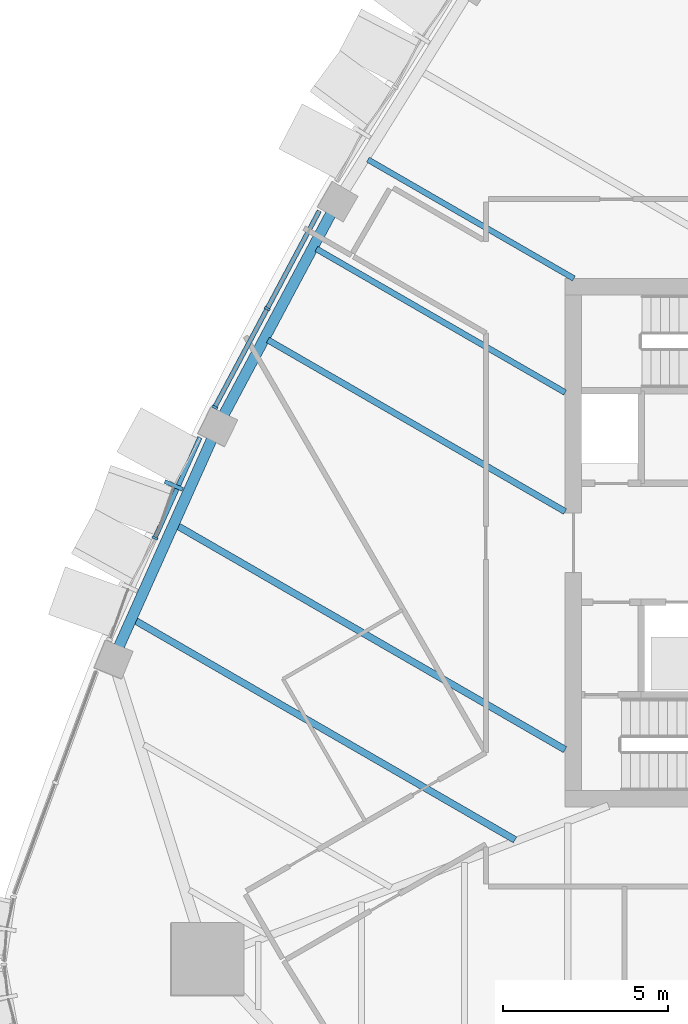
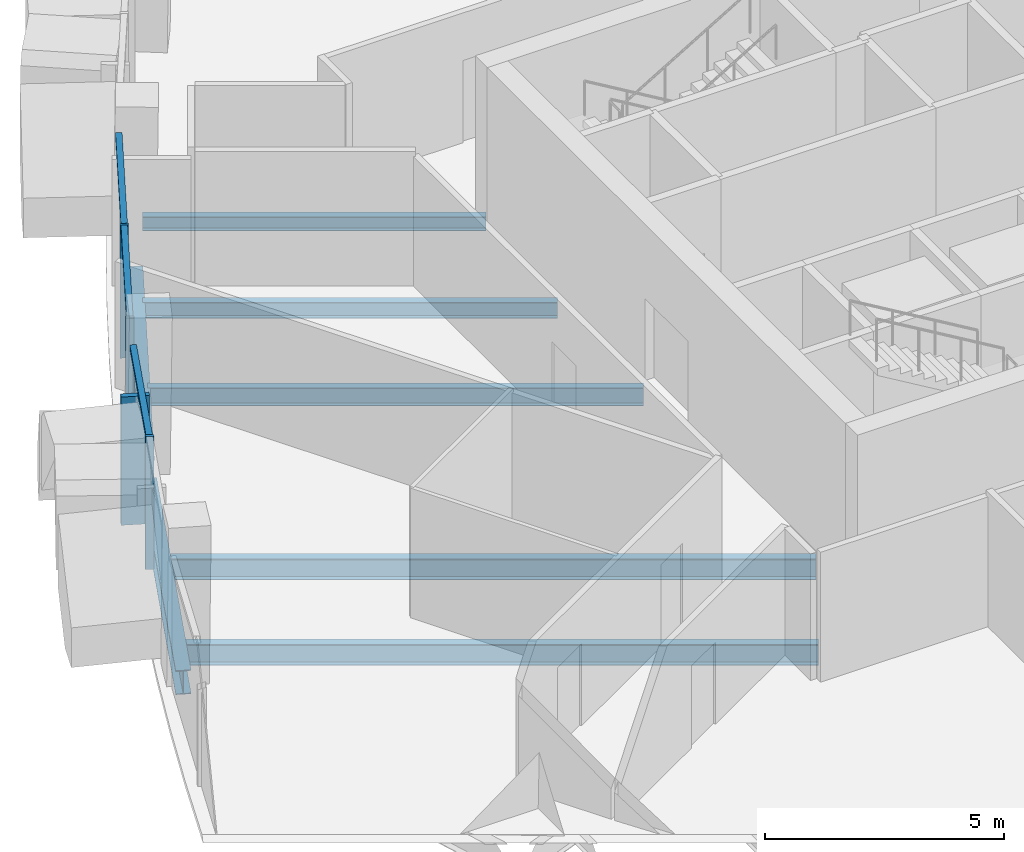
# One storey, part 3 of 18: 7 beams, 7 members, 2 elements without a shape of their own.
"""IFC4 building model written with IfcOpenShell, lengths in metres."""

import ifcopenshell
import ifcopenshell.guid

model = None  # the IFC model being written
_history = None  # IfcOwnerHistory: only IFC2X3 demands one
_inside = {}  # id of a spatial element -> (the spatial element, [elements in it])
_under = {}  # id of a project, library or spatial element -> (it, [spatial elements below it])
_declared = {}  # id of a project -> (the project, [libraries it declares])
_typed = {}  # id of a type object -> (the type object, [elements of that type])
_made_of = {}  # id of a material, layer set ... -> (it, [elements and type objects made of it])


def new_model(schema):
    """Start an empty IFC model of exactly this schema.

    Asked for "IFC4X3", IfcOpenShell would pick the latest addendum, in which some entities
    have other attributes; the version numbers below select the first issue.
    IFC2X3 requires an IfcOwnerHistory on every rooted entity: one is made here for all.
    """
    global model, _history
    if schema == "IFC4X3":
        model = ifcopenshell.file(schema_version=(4, 3, 0, 0))
    else:
        model = ifcopenshell.file(schema=schema)
    _inside.clear()
    _under.clear()
    _declared.clear()
    _typed.clear()
    _made_of.clear()
    _history = None
    if model.schema == "IFC2X3":
        org = make("IfcOrganization", Name="unknown")
        user = make(
            "IfcPersonAndOrganization",
            ThePerson=make("IfcPerson", FamilyName="unknown"),
            TheOrganization=org,
        )
        app = make(
            "IfcApplication",
            ApplicationDeveloper=org,
            Version="unknown",
            ApplicationFullName="unknown",
            ApplicationIdentifier="unknown",
        )
        _history = make(
            "IfcOwnerHistory",
            OwningUser=user,
            OwningApplication=app,
            ChangeAction="ADDED",
            CreationDate=0,
        )
    return model


def make(cls, **values):
    """One entity of the class cls with the attributes given. An attribute that is None is left unset."""
    return model.create_entity(
        cls, **{name: value for name, value in values.items() if value is not None}
    )


def rooted(cls, **values):
    """An entity with a GlobalId (a new one), such as an element, a storey or a relation."""
    return make(cls, GlobalId=ifcopenshell.guid.new(), OwnerHistory=_history, **values)


def si_unit(unit_type, name, prefix=None):
    """IfcSIUnit, for example si_unit("LENGTHUNIT", "METRE", prefix="MILLI")."""
    return make("IfcSIUnit", UnitType=unit_type, Prefix=prefix, Name=name)


def assignment(units):
    """IfcUnitAssignment: the units of a project."""
    return None if units is None else make("IfcUnitAssignment", Units=units)


def point(xyz):
    """IfcCartesianPoint."""
    return None if xyz is None else make("IfcCartesianPoint", Coordinates=xyz)


def direction(xyz):
    """IfcDirection."""
    return None if xyz is None else make("IfcDirection", DirectionRatios=xyz)


def frame(location, z_axis=None, x_axis=None):
    """IfcAxis2Placement3D, a coordinate frame: its origin and axes. An axis left out is left unset."""
    return make(
        "IfcAxis2Placement3D",
        Location=point(location),
        Axis=direction(z_axis),
        RefDirection=direction(x_axis),
    )


def frame_2d(location, x_axis=None):
    """IfcAxis2Placement2D, a coordinate frame in the plane: its origin and x axis."""
    return make(
        "IfcAxis2Placement2D", Location=point(location), RefDirection=direction(x_axis)
    )


def origin():
    """The frame at (0, 0, 0) with its axes left unset."""
    return frame((0.0, 0.0, 0.0))


def origin_2d():
    """The frame at (0, 0) in the plane with its x axis left unset."""
    return frame_2d((0.0, 0.0))


def place(relative_to, where):
    """IfcLocalPlacement: puts the frame where relative to a parent placement (None: the world)."""
    return make(
        "IfcLocalPlacement", PlacementRelTo=relative_to, RelativePlacement=where
    )


def context(
    kind, dimensions, precision=None, world=None, true_north=None, identifier=None
):
    """IfcGeometricRepresentationContext, for example the 3D "Model" context."""
    return make(
        "IfcGeometricRepresentationContext",
        ContextIdentifier=identifier,
        ContextType=kind,
        CoordinateSpaceDimension=dimensions,
        Precision=precision,
        WorldCoordinateSystem=world,
        TrueNorth=true_north,
    )


def subcontext(parent, identifier, kind, view, scale=None):
    """IfcGeometricRepresentationSubContext, for example "Body" below "Model"."""
    return make(
        "IfcGeometricRepresentationSubContext",
        ContextIdentifier=identifier,
        ContextType=kind,
        ParentContext=parent,
        TargetScale=scale,
        TargetView=view,
    )


def project(units=None, contexts=None):
    """IfcProject with its units and contexts."""
    return rooted(
        "IfcProject",
        Name="project",
        RepresentationContexts=contexts,
        UnitsInContext=assignment(units),
    )


def spatial(cls, under=None, at=None, **own):
    """A site, building, storey or space (cls), placed at a placement, below another one or the project."""
    s = rooted(cls, ObjectPlacement=at, **own)
    if under is not None:
        _under.setdefault(under.id(), (under, []))[1].append(s)
    return s


def profile(cls, at=None, kind="AREA", **sizes):
    """A parametric profile (cls). Its sizes go by their IFC names, for example OverallWidth=200.0."""
    return make(cls, ProfileType=kind, Position=at, **sizes)


def rectangle(**sizes):
    """IfcRectangleProfileDef."""
    return profile("IfcRectangleProfileDef", **sizes)


def i_section(**sizes):
    """IfcIShapeProfileDef."""
    return profile("IfcIShapeProfileDef", **sizes)


def extrude(swept, where, along, depth):
    """IfcExtrudedAreaSolid: the profile swept, set in the frame where, extruded along a direction by depth."""
    return make(
        "IfcExtrudedAreaSolid",
        SweptArea=swept,
        Position=where,
        ExtrudedDirection=direction(along),
        Depth=depth,
    )


def shape(context_of_items, identifier, shape_type, items):
    """IfcShapeRepresentation: the items that make up one representation, for example the "Body"."""
    return make(
        "IfcShapeRepresentation",
        ContextOfItems=context_of_items,
        RepresentationIdentifier=identifier,
        RepresentationType=shape_type,
        Items=items,
    )


def material(Name=None, Category=None):
    """IfcMaterial."""
    return make("IfcMaterial", Name=Name, Category=Category)


def layer(
    of_material, thickness, ventilated=None, Name=None, Category=None, Priority=None
):
    """IfcMaterialLayer: one layer of a wall or slab, of a material (None: an air gap)."""
    return make(
        "IfcMaterialLayer",
        Material=of_material,
        LayerThickness=thickness,
        IsVentilated=ventilated,
        Name=Name,
        Category=Category,
        Priority=Priority,
    )


def layer_set(layers, Name=None):
    """IfcMaterialLayerSet."""
    return make("IfcMaterialLayerSet", MaterialLayers=layers, LayerSetName=Name)


def material_profile(
    of_material, cross_section, Name=None, Category=None, Priority=None
):
    """IfcMaterialProfile: a cross section and its material."""
    return make(
        "IfcMaterialProfile",
        Name=Name,
        Material=of_material,
        Profile=cross_section,
        Priority=Priority,
        Category=Category,
    )


def profile_set(profiles, Name=None, composite=None):
    """IfcMaterialProfileSet."""
    return make(
        "IfcMaterialProfileSet",
        Name=Name,
        MaterialProfiles=profiles,
        CompositeProfile=composite,
    )


def made_of(thing, what):
    """Note that an element or type object is made of a material, layer set ...; save() writes the relation."""
    if what is not None:
        _made_of.setdefault(what.id(), (what, []))[1].append(thing)
    return thing


def type_object(cls, material=None, **own):
    """A type object (cls), such as IfcWallType, which elements share."""
    return made_of(rooted(cls, **own), material)


def element(
    cls,
    number,
    at=None,
    inside=None,
    cuts=None,
    type_object=None,
    material=None,
    context=None,
    identifier="Body",
    shape_type=None,
    held_by="IfcProductDefinitionShape",
    body=None,
    shapes=None,
    **own,
):
    """One element of the class cls, such as IfcWall. Its Tag is "e" and its number.

    at: its placement. inside: the storey or other place that contains it. cuts: it is an
    opening in that element (IfcRelVoidsElement). A single representation is given by context,
    identifier, shape_type and body (its items); several are given by shapes. held_by: the class
    of the entity that holds the representations. save() writes the other relations.
    """
    e = rooted(cls, Tag="e%d" % number, ObjectPlacement=at, **own)
    if body is not None:
        shapes = [shape(context, identifier, shape_type, body)]
    if shapes is not None:
        e.Representation = make(held_by, Representations=shapes)
    if inside is not None:
        _inside.setdefault(inside.id(), (inside, []))[1].append(e)
    if cuts is not None:
        rooted(
            "IfcRelVoidsElement", RelatingBuildingElement=cuts, RelatedOpeningElement=e
        )
    if type_object is not None:
        _typed.setdefault(type_object.id(), (type_object, []))[1].append(e)
    return made_of(e, material)


def aggregate(whole, parts):
    """IfcRelAggregates: a whole, such as a stair, and the parts it consists of."""
    return rooted("IfcRelAggregates", RelatingObject=whole, RelatedObjects=parts)


def save(model, path):
    """Write the relations noted so far, then the file.

    IfcRelAggregates (storeys below a building ...), IfcRelContainedInSpatialStructure (elements
    in a storey), IfcRelDefinesByType, IfcRelAssociatesMaterial and IfcRelDeclares: one each for
    every whole, place, type object, material and project.
    """
    for whole, parts in _under.values():
        aggregate(whole, parts)
    for where, things in _inside.values():
        rooted(
            "IfcRelContainedInSpatialStructure",
            RelatedElements=things,
            RelatingStructure=where,
        )
    for kind, things in _typed.values():
        rooted("IfcRelDefinesByType", RelatedObjects=things, RelatingType=kind)
    for what, things in _made_of.values():
        rooted("IfcRelAssociatesMaterial", RelatedObjects=things, RelatingMaterial=what)
    for by, libraries in _declared.values():
        rooted("IfcRelDeclares", RelatingContext=by, RelatedDefinitions=libraries)
    model.write(path)


model = new_model("IFC4")

# Units and contexts
model_context = context("Model", 3, precision=1e-05, world=origin(), true_north=direction((0.0, 1.0)))
body_context = subcontext(model_context, "Body", "Model", "MODEL_VIEW")
ifc_project = project(units=[si_unit("LENGTHUNIT", "METRE"), si_unit("AREAUNIT", "SQUARE_METRE"), si_unit("VOLUMEUNIT", "CUBIC_METRE"), si_unit("PLANEANGLEUNIT", "RADIAN"), si_unit("MASSUNIT", "GRAM", prefix="KILO")], contexts=[model_context])

# Site, building, storey
site_placement = place(None, origin())
site = spatial("IfcSite", under=ifc_project, at=site_placement, CompositionType="ELEMENT")
building_placement = place(site_placement, origin())
building = spatial("IfcBuilding", under=site, at=building_placement, Name="Sierra Prisma Convention Tower", CompositionType="ELEMENT")
storey_placement = place(building_placement, frame((0.0, 0.0, 247.0)))
storey = spatial("IfcBuildingStorey", under=building, at=storey_placement, Name="L55", CompositionType="ELEMENT", Elevation=247.0)

# Curtain wall, member
ifc_material_1 = material(Name="Aluminium and glass curtain wall", Category="aluminium")
ifc_layer_1 = layer(ifc_material_1, 0.179931640625)
ifc_layer_set_1 = layer_set([ifc_layer_1], Name="CW-2 Faceted crystal curtain wall")
curtain_wall_type_1 = type_object("IfcCurtainWallType", Name="CW-2 Faceted crystal curtain wall", PredefinedType="NOTDEFINED", material=ifc_layer_set_1)
curtain_wall_1_placement = place(storey_placement, origin())
curtain_wall_1 = element("IfcCurtainWall", 1, at=curtain_wall_1_placement, inside=storey, type_object=curtain_wall_type_1, Name="CW-2 NW5 L55", PredefinedType="NOTDEFINED")
ifc_material_2 = material(Name="Aluminium 6063-T6 bronze anodised", Category="aluminium")
ifc_material_profile_1 = material_profile(ifc_material_2, rectangle(XDim=0.1201171875, YDim=0.60009765625, at=origin_2d()), Name="ALU RIDGE BLADE 120x600")
ifc_profile_set_1 = profile_set([ifc_material_profile_1], Name="Aluminium 6063-T6 bronze anodised")
member_type_1 = type_object("IfcMemberType", Name="CW hip bronze", PredefinedType="MULLION", material=ifc_profile_set_1)
member_1_placement = place(storey_placement, frame((-22.844970703125, 1.736083984375, 0.0), z_axis=(0.0, 0.0, 1.0), x_axis=(-0.408762397347, -0.912640839824, 0.0)))
member_1 = element("IfcMember", 2, at=member_1_placement, type_object=member_type_1, Name="CW-2 ridge NW5.1", PredefinedType="MULLION", context=body_context, shape_type="SweptSolid", body=[
    extrude(rectangle(XDim=0.1201171875, YDim=0.60009765625, at=origin_2d()), origin(), (0.0, 0.0, 1.0), 3.280029296875),
])

# Curtain wall, members
ifc_material_3 = material(Name="Aluminium and glass curtain wall", Category="aluminium")
ifc_layer_2 = layer(ifc_material_3, 0.179931640625)
ifc_layer_set_2 = layer_set([ifc_layer_2], Name="CW-1 Plain shaft curtain wall")
curtain_wall_type_2 = type_object("IfcCurtainWallType", Name="CW-1 Plain shaft curtain wall", PredefinedType="NOTDEFINED", material=ifc_layer_set_2)
curtain_wall_2_placement = place(storey_placement, origin())
curtain_wall_2 = element("IfcCurtainWall", 3, at=curtain_wall_2_placement, inside=storey, type_object=curtain_wall_type_2, Name="CW-1 NW4 L55", PredefinedType="NOTDEFINED")
ifc_material_4 = material(Name="Aluminium 6063-T6 bronze anodised", Category="aluminium")
ifc_material_profile_2 = material_profile(ifc_material_4, rectangle(XDim=0.179931640625, YDim=0.070068359375, at=origin_2d()), Name="ALU MULLION 70x180")
ifc_profile_set_2 = profile_set([ifc_material_profile_2], Name="Aluminium 6063-T6 bronze anodised")
member_type_2 = type_object("IfcMemberType", Name="CW mullion bronze", PredefinedType="MULLION", material=ifc_profile_set_2)
member_2_placement = place(storey_placement, frame((-20.0146484375, 7.08935546875, 0.0), z_axis=(0.0, 0.0, 1.0), x_axis=(0.882600167587, -0.470124392235, 0.0)))
member_2 = element("IfcMember", 4, at=member_2_placement, type_object=member_type_2, Name="CW-1 mullion NW4.2", PredefinedType="MULLION", context=body_context, shape_type="SweptSolid", body=[
    extrude(rectangle(XDim=0.179931640625, YDim=0.070068359375, at=origin_2d()), origin(), (0.0, 0.0, 1.0), 3.39990234375),
])
member_3_placement = place(storey_placement, frame((-21.60595703125, 4.101806640625, 0.0), z_axis=(0.0, 0.0, 1.0), x_axis=(0.882600167587, -0.470124392235, 0.0)))
member_3 = element("IfcMember", 5, at=member_3_placement, type_object=member_type_2, Name="CW-1 mullion NW4.3", PredefinedType="MULLION", context=body_context, shape_type="SweptSolid", body=[
    extrude(rectangle(XDim=0.179931640625, YDim=0.070068359375, at=origin_2d()), origin(), (0.0, 0.0, 1.0), 3.39990234375),
])

# Member
member_4_placement = place(storey_placement, frame((-23.4150390625, 0.145751953125, 0.0), z_axis=(0.0, 0.0, 1.0), x_axis=(0.912640839824, -0.408762397347, 0.0)))
member_4 = element("IfcMember", 6, at=member_4_placement, type_object=member_type_2, Name="CW-1 mullion NW5.2", PredefinedType="MULLION", context=body_context, shape_type="SweptSolid", body=[
    extrude(rectangle(XDim=0.179931640625, YDim=0.070068359375, at=origin_2d()), origin(), (0.0, 0.0, 1.0), 3.39990234375),
])

ifc_material_5 = material(Name="Aluminium 6063-T6 bronze anodised", Category="aluminium")
ifc_material_profile_3 = material_profile(ifc_material_5, rectangle(XDim=0.139892578125, YDim=0.1201171875, at=origin_2d()), Name="ALU TRANSOM 120x140")
ifc_profile_set_3 = profile_set([ifc_material_profile_3], Name="Aluminium 6063-T6 bronze anodised")
member_type_3 = type_object("IfcMemberType", Name="CW transom bronze", PredefinedType="USERDEFINED", material=ifc_profile_set_3)
member_5_placement = place(storey_placement, frame((-18.439697265625, 10.046142578125, 3.340087890625), z_axis=(-0.470102691122, -0.882611726525, 0.0), x_axis=(0.882611726525, -0.470102691122, 0.0)))
member_5 = element("IfcMember", 7, at=member_5_placement, type_object=member_type_3, Name="CW-1 transom NW4.1", ObjectType="TRANSOM", PredefinedType="USERDEFINED", context=body_context, shape_type="SweptSolid", body=[
    extrude(rectangle(XDim=0.139892578125, YDim=0.1201171875, at=origin_2d()), origin(), (0.0, 0.0, 1.0), 3.31494140625),
])

member_6_placement = place(storey_placement, frame((-20.031005859375, 7.05859375, 3.340087890625), z_axis=(-0.470102691122, -0.882611726525, 0.0), x_axis=(0.882611726525, -0.470102691122, 0.0)))
member_6 = element("IfcMember", 8, at=member_6_placement, type_object=member_type_3, Name="CW-1 transom NW4.2", ObjectType="TRANSOM", PredefinedType="USERDEFINED", context=body_context, shape_type="SweptSolid", body=[
    extrude(rectangle(XDim=0.139892578125, YDim=0.1201171875, at=origin_2d()), origin(), (0.0, 0.0, 1.0), 3.31494140625),
])

aggregate(curtain_wall_2, [member_2, member_3, member_5, member_6])

member_7_placement = place(storey_placement, frame((-22.05224609375, 3.1884765625, 3.340087890625), z_axis=(-0.408739262487, -0.912651201337, 0.0), x_axis=(0.912651201337, -0.408739262487, 0.0)))
member_7 = element("IfcMember", 9, at=member_7_placement, type_object=member_type_3, Name="CW-1 transom NW5.1", ObjectType="TRANSOM", PredefinedType="USERDEFINED", context=body_context, shape_type="SweptSolid", body=[
    extrude(rectangle(XDim=0.139892578125, YDim=0.1201171875, at=origin_2d()), origin(), (0.0, 0.0, 1.0), 3.298828125),
])

aggregate(curtain_wall_1, [member_4, member_7, member_1])

# Beams
ifc_material_6 = material(Name="Steel ASTM A992 Gr 50", Category="steel")
ifc_material_profile_4 = material_profile(ifc_material_6, i_section(OverallWidth=0.172119140625, OverallDepth=0.35791015625, WebThickness=0.0078125, FlangeThickness=0.01318359375, at=origin_2d()), Name="W360x57")
ifc_profile_set_4 = profile_set([ifc_material_profile_4], Name="Steel ASTM A992 Gr 50")
beam_type_1 = type_object("IfcBeamType", Name="Floor joist W360x57", PredefinedType="JOIST", material=ifc_profile_set_4)
beam_1_placement = place(storey_placement, frame((-16.96826171875, 11.598388671875, -0.3291015625), z_axis=(0.866027974712, -0.499995546997, 0.0), x_axis=(0.499995546997, 0.866027974712, 0.0)))
element("IfcBeam", 10, at=beam_1_placement, inside=storey, type_object=beam_type_1, Name="Floor joist L55 NW07", PredefinedType="JOIST", context=body_context, shape_type="SweptSolid", body=[
    extrude(i_section(OverallWidth=0.172119140625, OverallDepth=0.35791015625, WebThickness=0.0078125, FlangeThickness=0.01318359375, at=origin_2d()), origin(), (0.0, 0.0, 1.0), 7.19677734375),
])
ifc_material_7 = material(Name="Steel ASTM A992 Gr 50", Category="steel")
ifc_material_profile_5 = material_profile(ifc_material_7, i_section(OverallWidth=0.177978515625, OverallDepth=0.406982421875, WebThickness=0.0078125, FlangeThickness=0.0126953125, at=origin_2d()), Name="W410x60")
ifc_profile_set_5 = profile_set([ifc_material_profile_5], Name="Steel ASTM A992 Gr 50")
beam_type_2 = type_object("IfcBeamType", Name="Floor joist W410x60", PredefinedType="JOIST", material=ifc_profile_set_5)
beam_2_placement = place(storey_placement, frame((-18.528564453125, 8.895751953125, -0.353515625), z_axis=(0.866022366652, -0.50000526043, 0.0), x_axis=(0.50000526043, 0.866022366652, 0.0)))
element("IfcBeam", 11, at=beam_2_placement, inside=storey, type_object=beam_type_2, Name="Floor joist L55 NW08", PredefinedType="JOIST", context=body_context, shape_type="SweptSolid", body=[
    extrude(i_section(OverallWidth=0.177978515625, OverallDepth=0.406982421875, WebThickness=0.0078125, FlangeThickness=0.0126953125, at=origin_2d()), origin(), (0.0, 0.0, 1.0), 8.693359375),
])
ifc_material_8 = material(Name="Steel ASTM A992 Gr 50", Category="steel")
ifc_material_profile_6 = material_profile(ifc_material_8, i_section(OverallWidth=0.18994140625, OverallDepth=0.45703125, WebThickness=0.009033203125, FlangeThickness=0.014404296875, at=origin_2d()), Name="W460x74")
ifc_profile_set_6 = profile_set([ifc_material_profile_6], Name="Steel ASTM A992 Gr 50")
beam_type_3 = type_object("IfcBeamType", Name="Floor joist W460x74", PredefinedType="JOIST", material=ifc_profile_set_6)
beam_3_placement = place(storey_placement, frame((-19.99658203125, 6.1396484375, -0.37841796875), z_axis=(0.866018864611, -0.50001132601, 0.0), x_axis=(0.50001132601, 0.866018864611, 0.0)))
element("IfcBeam", 12, at=beam_3_placement, inside=storey, type_object=beam_type_3, Name="Floor joist L55 NW09", PredefinedType="JOIST", context=body_context, shape_type="SweptSolid", body=[
    extrude(i_section(OverallWidth=0.18994140625, OverallDepth=0.45703125, WebThickness=0.009033203125, FlangeThickness=0.014404296875, at=origin_2d()), origin(), (0.0, 0.0, 1.0), 10.388427734375),
])
ifc_material_9 = material(Name="Steel ASTM A992 Gr 50", Category="steel")
ifc_material_profile_7 = material_profile(ifc_material_9, i_section(OverallWidth=0.208984375, OverallDepth=0.532958984375, WebThickness=0.01025390625, FlangeThickness=0.015625, at=origin_2d()), Name="W530x92")
ifc_profile_set_7 = profile_set([ifc_material_profile_7], Name="Steel ASTM A992 Gr 50")
beam_type_4 = type_object("IfcBeamType", Name="Floor joist W530x92", PredefinedType="JOIST", material=ifc_profile_set_7)
beam_4_placement = place(storey_placement, frame((-22.74169921875, 0.51708984375, -0.41650390625), z_axis=(0.866026057554, -0.499998867636, 0.0), x_axis=(0.499998867636, 0.866026057554, 0.0)))
element("IfcBeam", 13, at=beam_4_placement, inside=storey, type_object=beam_type_4, Name="Floor joist L55 NW11", PredefinedType="JOIST", context=body_context, shape_type="SweptSolid", body=[
    extrude(i_section(OverallWidth=0.208984375, OverallDepth=0.532958984375, WebThickness=0.01025390625, FlangeThickness=0.015625, at=origin_2d()), origin(), (0.0, 0.0, 1.0), 13.55810546875),
])
beam_5_placement = place(storey_placement, frame((-24.024169921875, -2.34619140625, -0.41650390625), z_axis=(0.866023131295, -0.500003936047, 0.0), x_axis=(0.500003936047, 0.866023131295, 0.0)))
element("IfcBeam", 14, at=beam_5_placement, inside=storey, type_object=beam_type_4, Name="Floor joist L55 NW12", PredefinedType="JOIST", context=body_context, shape_type="SweptSolid", body=[
    extrude(i_section(OverallWidth=0.208984375, OverallDepth=0.532958984375, WebThickness=0.01025390625, FlangeThickness=0.015625, at=origin_2d()), origin(), (0.0, 0.0, 1.0), 13.2890625),
])
ifc_material_10 = material(Name="Steel ASTM A992 Gr 50", Category="steel")
ifc_material_profile_8 = material_profile(ifc_material_10, i_section(OverallWidth=0.324951171875, OverallDepth=0.615966796875, WebThickness=0.013916015625, FlangeThickness=0.021484375, at=origin_2d()), Name="W610x174")
ifc_profile_set_8 = profile_set([ifc_material_profile_8], Name="Steel ASTM A992 Gr 50")
beam_type_5 = type_object("IfcBeamType", Name="Spandrel beam W610x174", PredefinedType="BEAM", material=ifc_profile_set_8)
beam_6_placement = place(storey_placement, frame((-18.04736328125, 10.03857421875, -0.4580078125), z_axis=(-0.470125609743, -0.882599519071, 0.0), x_axis=(0.882599519071, -0.470125609743, 0.0)))
element("IfcBeam", 15, at=beam_6_placement, inside=storey, type_object=beam_type_5, Name="Spandrel L55-16", PredefinedType="BEAM", context=body_context, shape_type="SweptSolid", body=[
    extrude(i_section(OverallWidth=0.324951171875, OverallDepth=0.615966796875, WebThickness=0.013916015625, FlangeThickness=0.021484375, at=origin_2d()), origin(), (0.0, 0.0, 1.0), 7.06787109375),
])
beam_7_placement = place(storey_placement, frame((-21.660400390625, 3.207763671875, -0.4580078125), z_axis=(-0.408755351902, -0.912643995374, 0.0), x_axis=(0.912643995374, -0.408755351902, 0.0)))
element("IfcBeam", 16, at=beam_7_placement, inside=storey, type_object=beam_type_5, Name="Spandrel L55-17", PredefinedType="BEAM", context=body_context, shape_type="SweptSolid", body=[
    extrude(i_section(OverallWidth=0.324951171875, OverallDepth=0.615966796875, WebThickness=0.013916015625, FlangeThickness=0.021484375, at=origin_2d()), origin(), (0.0, 0.0, 1.0), 7.067626953125),
])

save(model, "model.ifc")
